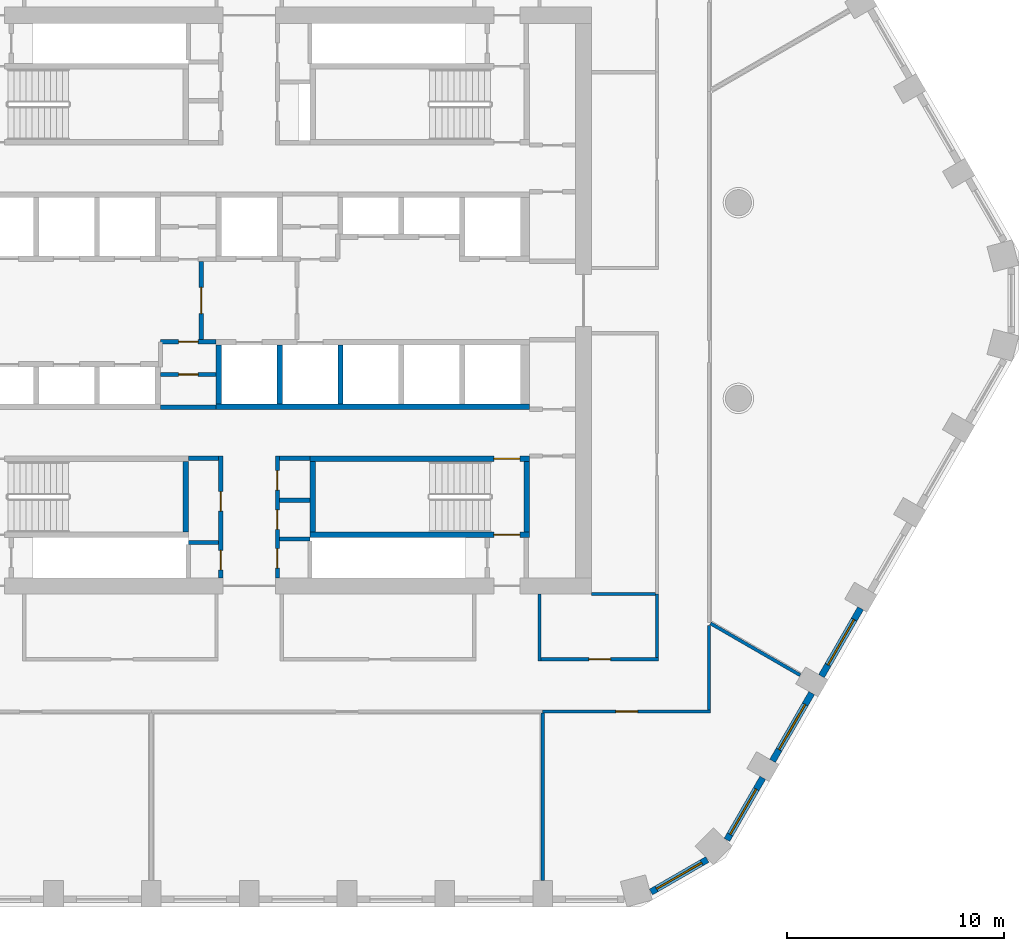
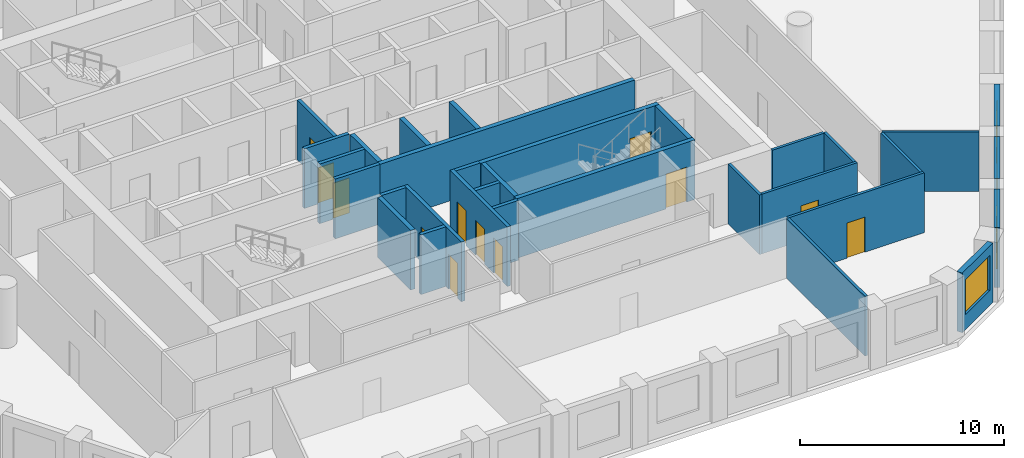
# One storey, part 4 of 14: 32 walls, 12 doors, 4 windows, 16 openings.
"""IFC4 building model written with IfcOpenShell, lengths in metres."""

from ifc_helpers import new_model, si_unit, direction, frame, frame_2d, origin, place, context, subcontext, project, spatial, polyline, rectangle, outline, extrude, material, layer, layer_set, type_object, element, fill, save


model = new_model("IFC4")

# Units and contexts
model_context = context("Model", 3, precision=1e-05, world=origin(), true_north=direction((0.0, 1.0)))
body_context = subcontext(model_context, "Body", "Model", "MODEL_VIEW")
ifc_project = project(units=[si_unit("LENGTHUNIT", "METRE"), si_unit("AREAUNIT", "SQUARE_METRE"), si_unit("VOLUMEUNIT", "CUBIC_METRE"), si_unit("PLANEANGLEUNIT", "RADIAN"), si_unit("MASSUNIT", "GRAM", prefix="KILO")], contexts=[model_context])

# Site, building, storey
site_placement = place(None, origin())
site = spatial("IfcSite", under=ifc_project, at=site_placement, CompositionType="ELEMENT")
building_placement = place(site_placement, origin())
building = spatial("IfcBuilding", under=site, at=building_placement, Name="Dhurran Vertical Campus", CompositionType="ELEMENT")
storey_placement = place(building_placement, frame((0.0, 0.0, 136.5)))
storey = spatial("IfcBuildingStorey", under=building, at=storey_placement, Name="L33", CompositionType="ELEMENT", Elevation=136.5)

# Wall, opening, window
ifc_material_1 = material(Name="Precast concrete C50/60", Category="concrete")
ifc_layer_1 = layer(ifc_material_1, 0.300048828125)
ifc_layer_set_1 = layer_set([ifc_layer_1], Name="Precast concrete C50/60")
wall_type_1 = type_object("IfcWallType", Name="Precast spandrel wall 300", PredefinedType="SOLIDWALL", material=ifc_layer_set_1)
wall_1_placement = place(storey_placement, frame((18.479248046875, -27.201904296875, 0.0), z_axis=(0.0, 0.0, 1.0), x_axis=(0.866012844897, 0.500021752, 0.0)))
wall_1 = element("IfcWall", 1, at=wall_1_placement, inside=storey, type_object=wall_type_1, Name="EW1 L33.08", PredefinedType="SOLIDWALL", context=body_context, shape_type="SweptSolid", body=[
    extrude(rectangle(XDim=2.989013671875, YDim=0.300048828125, at=frame_2d((1.49462890625, 0.0))), origin(), (0.0, 0.0, 1.0), 3.574951171875),
])
opening_1_placement = place(wall_1_placement, frame((0.294677734375, 0.0, 0.89990234375)))
opening_1 = element("IfcOpeningElement", 2, at=opening_1_placement, cuts=wall_1, Name="Opening WT1", PredefinedType="OPENING", context=body_context, shape_type="SweptSolid", body=[
    extrude(rectangle(XDim=2.39990234375, YDim=2.10009765625, at=frame_2d((1.199951171875, 1.050048828125))), frame((0.0, 0.159912109375, 0.0), z_axis=(0.0, -1.0, 0.0), x_axis=(1.0, 0.0, 0.0)), (0.0, 0.0, 1.0), 0.320068359375),
])
ifc_material_2 = material(Name="Aluminium frame with solar-control glass", Category="aluminium")
window_type = type_object("IfcWindowType", Name="Punched window 2400 x 2100", PartitioningType="SINGLE_PANEL", PredefinedType="WINDOW", material=ifc_material_2)
window_1_placement = place(opening_1_placement, origin())
window_1 = element("IfcWindow", 3, at=window_1_placement, inside=storey, type_object=window_type, Name="WT1 L33.08", OverallHeight=2.10009765625, OverallWidth=2.39990234375, PartitioningType="SINGLE_PANEL", PredefinedType="WINDOW", context=body_context, shape_type="SweptSolid", body=[
    extrude(rectangle(XDim=2.39990234375, YDim=2.10009765625, at=frame_2d((1.199951171875, 1.050048828125))), frame((0.0, 0.030029296875, 0.0), z_axis=(0.0, -1.0, 0.0), x_axis=(1.0, 0.0, 0.0)), (0.0, 0.0, 1.0), 0.06005859375),
])
fill(opening_1, window_1)

wall_2_placement = place(storey_placement, frame((21.9716796875, -24.803466796875, 0.0), z_axis=(0.0, 0.0, 1.0), x_axis=(0.500036802197, 0.866004154983, 0.0)))
wall_2 = element("IfcWall", 4, at=wall_2_placement, inside=storey, type_object=wall_type_1, Name="EW1 L33.09", PredefinedType="SOLIDWALL", context=body_context, shape_type="SweptSolid", body=[
    extrude(rectangle(XDim=3.294189453125, YDim=0.300048828125, at=frame_2d((1.64697265625, 0.0))), origin(), (0.0, 0.0, 1.0), 3.574951171875),
])
opening_2_placement = place(wall_2_placement, frame((0.29443359375, 0.0, 0.89990234375)))
opening_2 = element("IfcOpeningElement", 5, at=opening_2_placement, cuts=wall_2, Name="Opening WT1", PredefinedType="OPENING", context=body_context, shape_type="SweptSolid", body=[
    extrude(rectangle(XDim=2.39990234375, YDim=2.10009765625, at=frame_2d((1.199951171875, 1.050048828125))), frame((0.0, 0.159912109375, 0.0), z_axis=(0.0, -1.0, 0.0), x_axis=(1.0, 0.0, 0.0)), (0.0, 0.0, 1.0), 0.320068359375),
])
window_2_placement = place(opening_2_placement, origin())
window_2 = element("IfcWindow", 6, at=window_2_placement, inside=storey, type_object=window_type, Name="WT1 L33.09", OverallHeight=2.10009765625, OverallWidth=2.39990234375, PartitioningType="SINGLE_PANEL", PredefinedType="WINDOW", context=body_context, shape_type="SweptSolid", body=[
    extrude(rectangle(XDim=2.39990234375, YDim=2.10009765625, at=frame_2d((1.199951171875, 1.050048828125))), frame((0.0, 0.030029296875, 0.0), z_axis=(0.0, -1.0, 0.0), x_axis=(1.0, 0.0, 0.0)), (0.0, 0.0, 1.0), 0.06005859375),
])
fill(opening_2, window_2)

wall_3_placement = place(storey_placement, frame((24.0693359375, -21.17041015625, 0.0), z_axis=(0.0, 0.0, 1.0), x_axis=(0.500027802648, 0.866009351323, 0.0)))
wall_3 = element("IfcWall", 7, at=wall_3_placement, inside=storey, type_object=wall_type_1, Name="EW1 L33.10", PredefinedType="SOLIDWALL", context=body_context, shape_type="SweptSolid", body=[
    extrude(rectangle(XDim=3.598876953125, YDim=0.300048828125, at=frame_2d((1.79931640625, 0.0))), origin(), (0.0, 0.0, 1.0), 3.574951171875),
])
opening_3_placement = place(wall_3_placement, frame((0.599609375, 0.0, 0.89990234375)))
opening_3 = element("IfcOpeningElement", 8, at=opening_3_placement, cuts=wall_3, Name="Opening WT1", PredefinedType="OPENING", context=body_context, shape_type="SweptSolid", body=[
    extrude(rectangle(XDim=2.39990234375, YDim=2.10009765625, at=frame_2d((1.199951171875, 1.050048828125))), frame((0.0, 0.159912109375, 0.0), z_axis=(0.0, -1.0, 0.0), x_axis=(1.0, 0.0, 0.0)), (0.0, 0.0, 1.0), 0.320068359375),
])
window_3_placement = place(opening_3_placement, origin())
window_3 = element("IfcWindow", 9, at=window_3_placement, inside=storey, type_object=window_type, Name="WT1 L33.10", OverallHeight=2.10009765625, OverallWidth=2.39990234375, PartitioningType="SINGLE_PANEL", PredefinedType="WINDOW", context=body_context, shape_type="SweptSolid", body=[
    extrude(rectangle(XDim=2.39990234375, YDim=2.10009765625, at=frame_2d((1.199951171875, 1.050048828125))), frame((0.0, 0.030029296875, 0.0), z_axis=(0.0, -1.0, 0.0), x_axis=(1.0, 0.0, 0.0)), (0.0, 0.0, 1.0), 0.06005859375),
])
fill(opening_3, window_3)

wall_4_placement = place(storey_placement, frame((26.3193359375, -17.273193359375, 0.0), z_axis=(0.0, 0.0, 1.0), x_axis=(0.500027802648, 0.866009351323, 0.0)))
wall_4 = element("IfcWall", 10, at=wall_4_placement, inside=storey, type_object=wall_type_1, Name="EW1 L33.11", PredefinedType="SOLIDWALL", context=body_context, shape_type="SweptSolid", body=[
    extrude(rectangle(XDim=3.598876953125, YDim=0.300048828125, at=frame_2d((1.79931640625, 0.0))), origin(), (0.0, 0.0, 1.0), 3.574951171875),
])
opening_4_placement = place(wall_4_placement, frame((0.599609375, 0.0, 0.89990234375)))
opening_4 = element("IfcOpeningElement", 11, at=opening_4_placement, cuts=wall_4, Name="Opening WT1", PredefinedType="OPENING", context=body_context, shape_type="SweptSolid", body=[
    extrude(rectangle(XDim=2.39990234375, YDim=2.10009765625, at=frame_2d((1.199951171875, 1.050048828125))), frame((0.0, 0.159912109375, 0.0), z_axis=(0.0, -1.0, 0.0), x_axis=(1.0, 0.0, 0.0)), (0.0, 0.0, 1.0), 0.320068359375),
])
window_4_placement = place(opening_4_placement, origin())
window_4 = element("IfcWindow", 12, at=window_4_placement, inside=storey, type_object=window_type, Name="WT1 L33.11", OverallHeight=2.10009765625, OverallWidth=2.39990234375, PartitioningType="SINGLE_PANEL", PredefinedType="WINDOW", context=body_context, shape_type="SweptSolid", body=[
    extrude(rectangle(XDim=2.39990234375, YDim=2.10009765625, at=frame_2d((1.199951171875, 1.050048828125))), frame((0.0, 0.030029296875, 0.0), z_axis=(0.0, -1.0, 0.0), x_axis=(1.0, 0.0, 0.0)), (0.0, 0.0, 1.0), 0.06005859375),
])
fill(opening_4, window_4)

# Wall, opening, door
ifc_material_3 = material(Name="Fire-rated masonry blockwork", Category="masonry")
ifc_layer_2 = layer(ifc_material_3, 0.199951171875)
ifc_layer_set_2 = layer_set([ifc_layer_2], Name="Fire-rated masonry blockwork")
wall_type_2 = type_object("IfcWallType", Name="co-FIRE-PARTITION-200", PredefinedType="PARTITIONING", material=ifc_layer_set_2)
wall_5_placement = place(storey_placement, frame((-2.199951171875, -1.800048828125, 0.0), z_axis=(0.0, 0.0, 1.0), x_axis=(0.0, 1.0, 0.0)))
wall_5 = element("IfcWall", 13, at=wall_5_placement, inside=storey, type_object=wall_type_2, Name="Firefighting lobby wall W L33", PredefinedType="PARTITIONING", context=body_context, shape_type="SweptSolid", body=[
    extrude(rectangle(XDim=3.60009765625, YDim=0.199951171875, at=frame_2d((1.800048828125, 0.0))), origin(), (0.0, 0.0, 1.0), 3.574951171875),
])
opening_5_placement = place(wall_5_placement, frame((1.199951171875, 0.0, 0.0)))
opening_5 = element("IfcOpeningElement", 14, at=opening_5_placement, cuts=wall_5, Name="Opening FL1", PredefinedType="OPENING", context=body_context, shape_type="SweptSolid", body=[
    extrude(rectangle(XDim=1.199951171875, YDim=2.10009765625, at=frame_2d((0.60009765625, 1.050048828125))), frame((0.0, 0.10986328125, 0.0), z_axis=(0.0, -1.0, 0.0), x_axis=(1.0, 0.0, 0.0)), (0.0, 0.0, 1.0), 0.219970703125),
])
ifc_material_4 = material(Name="Fire-rated steel door set", Category="steel")
door_type_1 = type_object("IfcDoorType", Name="co-D-FFLOBBY 1200x2100", OperationType="SINGLE_SWING_LEFT", PredefinedType="DOOR", material=ifc_material_4)
door_1_placement = place(opening_5_placement, origin())
door_1 = element("IfcDoor", 15, at=door_1_placement, inside=storey, type_object=door_type_1, Name="Firefighting lobby door W L33", OperationType="SINGLE_SWING_LEFT", OverallHeight=2.10009765625, OverallWidth=1.199951171875, PredefinedType="DOOR", context=body_context, shape_type="SweptSolid", body=[
    extrude(rectangle(XDim=1.199951171875, YDim=2.10009765625, at=frame_2d((0.60009765625, 1.050048828125))), frame((0.0, 0.02490234375, 0.0), z_axis=(0.0, -1.0, 0.0), x_axis=(1.0, 0.0, 0.0)), (0.0, 0.0, 1.0), 0.050048828125),
])
fill(opening_5, door_1)

# Walls
for number, where, z_axis, x_axis, name in (
    (16, (-2.800048828125, -7.25, 0.0), (0.0, 0.0, 1.0), (1.0, 0.0, 0.0), "Core partition sl-SW-S L33"),
    (17, (-2.800048828125, -11.1298828125, 0.0), (0.0, 0.0, 1.0), (1.0, 0.0, 0.0), "Core partition sl-SW-cut0 L33"),
    (18, (1.39990234375, -7.25, 0.0), (0.0, 0.0, 1.0), (1.0, 0.0, 0.0), "Core partition sl-SE-S L33"),
    (19, (1.39990234375, -9.18603515625, 0.0), (0.0, 0.0, 1.0), (1.0, 0.0, 0.0), "Core partition sl-SE-cut0 L33"),
    (20, (1.39990234375, -10.968017578125, 0.0), (0.0, 0.0, 1.0), (1.0, 0.0, 0.0), "Core partition sl-SE-cut1 L33"),
):
    element("IfcWall", number, at=place(storey_placement, frame(where, z_axis=z_axis, x_axis=x_axis)), inside=storey, type_object=wall_type_2, Name=name, PredefinedType="PARTITIONING", context=body_context, shape_type="SweptSolid", body=[
        extrude(rectangle(XDim=1.400146484375, YDim=0.199951171875, at=frame_2d((0.7001953125, 0.0))), origin(), (0.0, 0.0, 1.0), 3.574951171875),
    ])

# Wall, openings, doors
wall_6_placement = place(storey_placement, frame((-1.300048828125, -12.75, 0.0), z_axis=(0.0, 0.0, 1.0), x_axis=(0.0, 1.0, 0.0)))
wall_6 = element("IfcWall", 21, at=wall_6_placement, inside=storey, type_object=wall_type_2, Name="Core partition vest-SW L33", PredefinedType="PARTITIONING", context=body_context, shape_type="SweptSolid", body=[
    extrude(rectangle(XDim=5.60009765625, YDim=0.199951171875, at=frame_2d((2.800048828125, 0.0))), origin(), (0.0, 0.0, 1.0), 3.574951171875),
])
opening_6_placement = place(wall_6_placement, frame((0.360107421875, 0.0, 0.0)))
opening_6 = element("IfcOpeningElement", 22, at=opening_6_placement, cuts=wall_6, Name="Opening T09-C1", PredefinedType="OPENING", context=body_context, shape_type="SweptSolid", body=[
    extrude(rectangle(XDim=0.89990234375, YDim=2.10009765625, at=frame_2d((0.449951171875, 1.050048828125))), frame((0.0, 0.10986328125, 0.0), z_axis=(0.0, -1.0, 0.0), x_axis=(1.0, 0.0, 0.0)), (0.0, 0.0, 1.0), 0.219970703125),
])
opening_7_placement = place(wall_6_placement, frame((3.06005859375, 0.0, 0.0)))
opening_7 = element("IfcOpeningElement", 23, at=opening_7_placement, cuts=wall_6, Name="Opening T09-C2", PredefinedType="OPENING", context=body_context, shape_type="SweptSolid", body=[
    extrude(rectangle(XDim=0.89990234375, YDim=2.10009765625, at=frame_2d((0.449951171875, 1.050048828125))), frame((0.0, 0.10986328125, 0.0), z_axis=(0.0, -1.0, 0.0), x_axis=(1.0, 0.0, 0.0)), (0.0, 0.0, 1.0), 0.219970703125),
])
ifc_material_5 = material(Name="Fire-rated timber door set", Category="wood")
door_type_2 = type_object("IfcDoorType", Name="co-D-ROOM 900x2100", OperationType="SINGLE_SWING_LEFT", PredefinedType="DOOR", material=ifc_material_5)
door_2_placement = place(opening_6_placement, origin())
door_2 = element("IfcDoor", 24, at=door_2_placement, inside=storey, type_object=door_type_2, Name="Pantry door L33", OperationType="SINGLE_SWING_LEFT", OverallHeight=2.10009765625, OverallWidth=0.89990234375, PredefinedType="DOOR", context=body_context, shape_type="SweptSolid", body=[
    extrude(rectangle(XDim=0.89990234375, YDim=2.10009765625, at=frame_2d((0.449951171875, 1.050048828125))), frame((0.0, 0.02490234375, 0.0), z_axis=(0.0, -1.0, 0.0), x_axis=(1.0, 0.0, 0.0)), (0.0, 0.0, 1.0), 0.050048828125),
])
fill(opening_6, door_2)
door_3_placement = place(opening_7_placement, origin())
door_3 = element("IfcDoor", 25, at=door_3_placement, inside=storey, type_object=door_type_2, Name="Communications room door L33", OperationType="SINGLE_SWING_LEFT", OverallHeight=2.10009765625, OverallWidth=0.89990234375, PredefinedType="DOOR", context=body_context, shape_type="SweptSolid", body=[
    extrude(rectangle(XDim=0.89990234375, YDim=2.10009765625, at=frame_2d((0.449951171875, 1.050048828125))), frame((0.0, 0.02490234375, 0.0), z_axis=(0.0, -1.0, 0.0), x_axis=(1.0, 0.0, 0.0)), (0.0, 0.0, 1.0), 0.050048828125),
])
fill(opening_7, door_3)

wall_7_placement = place(storey_placement, frame((1.300048828125, -12.75, 0.0), z_axis=(0.0, 0.0, 1.0), x_axis=(0.0, 1.0, 0.0)))
wall_7 = element("IfcWall", 26, at=wall_7_placement, inside=storey, type_object=wall_type_2, Name="Core partition vest-SE L33", PredefinedType="PARTITIONING", context=body_context, shape_type="SweptSolid", body=[
    extrude(rectangle(XDim=5.60009765625, YDim=0.199951171875, at=frame_2d((2.800048828125, 0.0))), origin(), (0.0, 0.0, 1.0), 3.574951171875),
])
opening_8_placement = place(wall_7_placement, frame((0.44091796875, 0.0, 0.0)))
opening_8 = element("IfcOpeningElement", 27, at=opening_8_placement, cuts=wall_7, Name="Opening T09-C3", PredefinedType="OPENING", context=body_context, shape_type="SweptSolid", body=[
    extrude(rectangle(XDim=0.89990234375, YDim=2.10009765625, at=frame_2d((0.449951171875, 1.050048828125))), frame((0.0, 0.10986328125, 0.0), z_axis=(0.0, -1.0, 0.0), x_axis=(1.0, 0.0, 0.0)), (0.0, 0.0, 1.0), 0.219970703125),
])
opening_9_placement = place(wall_7_placement, frame((2.222900390625, 0.0, 0.0)))
opening_9 = element("IfcOpeningElement", 28, at=opening_9_placement, cuts=wall_7, Name="Opening T09-C4", PredefinedType="OPENING", context=body_context, shape_type="SweptSolid", body=[
    extrude(rectangle(XDim=0.89990234375, YDim=2.10009765625, at=frame_2d((0.449951171875, 1.050048828125))), frame((0.0, 0.10986328125, 0.0), z_axis=(0.0, -1.0, 0.0), x_axis=(1.0, 0.0, 0.0)), (0.0, 0.0, 1.0), 0.219970703125),
])
opening_10_placement = place(wall_7_placement, frame((4.031982421875, 0.0, 0.0)))
opening_10 = element("IfcOpeningElement", 29, at=opening_10_placement, cuts=wall_7, Name="Opening T09-C5", PredefinedType="OPENING", context=body_context, shape_type="SweptSolid", body=[
    extrude(rectangle(XDim=0.89990234375, YDim=2.10009765625, at=frame_2d((0.449951171875, 1.050048828125))), frame((0.0, 0.10986328125, 0.0), z_axis=(0.0, -1.0, 0.0), x_axis=(1.0, 0.0, 0.0)), (0.0, 0.0, 1.0), 0.219970703125),
])
door_4_placement = place(opening_8_placement, origin())
door_4 = element("IfcDoor", 30, at=door_4_placement, inside=storey, type_object=door_type_2, Name="Waste room door L33", OperationType="SINGLE_SWING_LEFT", OverallHeight=2.10009765625, OverallWidth=0.89990234375, PredefinedType="DOOR", context=body_context, shape_type="SweptSolid", body=[
    extrude(rectangle(XDim=0.89990234375, YDim=2.10009765625, at=frame_2d((0.449951171875, 1.050048828125))), frame((0.0, 0.02490234375, 0.0), z_axis=(0.0, -1.0, 0.0), x_axis=(1.0, 0.0, 0.0)), (0.0, 0.0, 1.0), 0.050048828125),
])
fill(opening_8, door_4)
door_5_placement = place(opening_9_placement, origin())
door_5 = element("IfcDoor", 31, at=door_5_placement, inside=storey, type_object=door_type_2, Name="Fire equipment store door L33", OperationType="SINGLE_SWING_LEFT", OverallHeight=2.10009765625, OverallWidth=0.89990234375, PredefinedType="DOOR", context=body_context, shape_type="SweptSolid", body=[
    extrude(rectangle(XDim=0.89990234375, YDim=2.10009765625, at=frame_2d((0.449951171875, 1.050048828125))), frame((0.0, 0.02490234375, 0.0), z_axis=(0.0, -1.0, 0.0), x_axis=(1.0, 0.0, 0.0)), (0.0, 0.0, 1.0), 0.050048828125),
])
fill(opening_9, door_5)
door_6_placement = place(opening_10_placement, origin())
door_6 = element("IfcDoor", 32, at=door_6_placement, inside=storey, type_object=door_type_2, Name="Server room door L33", OperationType="SINGLE_SWING_LEFT", OverallHeight=2.10009765625, OverallWidth=0.89990234375, PredefinedType="DOOR", context=body_context, shape_type="SweptSolid", body=[
    extrude(rectangle(XDim=0.89990234375, YDim=2.10009765625, at=frame_2d((0.449951171875, 1.050048828125))), frame((0.0, 0.02490234375, 0.0), z_axis=(0.0, -1.0, 0.0), x_axis=(1.0, 0.0, 0.0)), (0.0, 0.0, 1.0), 0.050048828125),
])
fill(opening_10, door_6)

# Wall, opening, door
wall_8_placement = place(storey_placement, frame((-4.074951171875, -3.39990234375, 0.0), z_axis=(0.0, 0.0, 1.0), x_axis=(1.0, 0.0, 0.0)))
wall_8 = element("IfcWall", 33, at=wall_8_placement, inside=storey, type_object=wall_type_2, Name="Core partition fr-S0-c L33", PredefinedType="PARTITIONING", context=body_context, shape_type="SweptSolid", body=[
    extrude(rectangle(XDim=2.550048828125, YDim=0.199951171875, at=frame_2d((1.27490234375, 0.0))), origin(), (0.0, 0.0, 1.0), 3.574951171875),
])
opening_11_placement = place(wall_8_placement, frame((0.824951171875, 0.0, 0.0)))
opening_11 = element("IfcOpeningElement", 34, at=opening_11_placement, cuts=wall_8, Name="Opening T09-C27", PredefinedType="OPENING", context=body_context, shape_type="SweptSolid", body=[
    extrude(rectangle(XDim=0.89990234375, YDim=2.10009765625, at=frame_2d((0.449951171875, 1.050048828125))), frame((0.0, 0.10986328125, 0.0), z_axis=(0.0, -1.0, 0.0), x_axis=(1.0, 0.0, 0.0)), (0.0, 0.0, 1.0), 0.219970703125),
])
door_7_placement = place(opening_11_placement, origin())
door_7 = element("IfcDoor", 35, at=door_7_placement, inside=storey, type_object=door_type_2, Name="Server room door L33", OperationType="SINGLE_SWING_LEFT", OverallHeight=2.10009765625, OverallWidth=0.89990234375, PredefinedType="DOOR", context=body_context, shape_type="SweptSolid", body=[
    extrude(rectangle(XDim=0.89990234375, YDim=2.10009765625, at=frame_2d((0.449951171875, 1.050048828125))), frame((0.0, 0.02490234375, 0.0), z_axis=(0.0, -1.0, 0.0), x_axis=(1.0, 0.0, 0.0)), (0.0, 0.0, 1.0), 0.050048828125),
])
fill(opening_11, door_7)

wall_9_placement = place(storey_placement, frame((-4.074951171875, -1.89990234375, 0.0), z_axis=(0.0, 0.0, 1.0), x_axis=(1.0, 0.0, 0.0)))
wall_9 = element("IfcWall", 36, at=wall_9_placement, inside=storey, type_object=wall_type_2, Name="Core partition fr-S0-f L33", PredefinedType="PARTITIONING", context=body_context, shape_type="SweptSolid", body=[
    extrude(rectangle(XDim=2.550048828125, YDim=0.199951171875, at=frame_2d((1.27490234375, 0.0))), origin(), (0.0, 0.0, 1.0), 3.574951171875),
])
opening_12_placement = place(wall_9_placement, frame((0.824951171875, 0.0, 0.0)))
opening_12 = element("IfcOpeningElement", 37, at=opening_12_placement, cuts=wall_9, Name="Opening T09-C28", PredefinedType="OPENING", context=body_context, shape_type="SweptSolid", body=[
    extrude(rectangle(XDim=0.89990234375, YDim=2.10009765625, at=frame_2d((0.449951171875, 1.050048828125))), frame((0.0, 0.10986328125, 0.0), z_axis=(0.0, -1.0, 0.0), x_axis=(1.0, 0.0, 0.0)), (0.0, 0.0, 1.0), 0.219970703125),
])
door_8_placement = place(opening_12_placement, origin())
door_8 = element("IfcDoor", 38, at=door_8_placement, inside=storey, type_object=door_type_2, Name="Server room door L33", OperationType="SINGLE_SWING_LEFT", OverallHeight=2.10009765625, OverallWidth=0.89990234375, PredefinedType="DOOR", context=body_context, shape_type="SweptSolid", body=[
    extrude(rectangle(XDim=0.89990234375, YDim=2.10009765625, at=frame_2d((0.449951171875, 1.050048828125))), frame((0.0, 0.02490234375, 0.0), z_axis=(0.0, -1.0, 0.0), x_axis=(1.0, 0.0, 0.0)), (0.0, 0.0, 1.0), 0.050048828125),
])
fill(opening_12, door_8)

# Walls
wall_10_placement = place(storey_placement, frame((-4.074951171875, -4.89990234375, 0.0), z_axis=(0.0, 0.0, 1.0), x_axis=(1.0, 0.0, 0.0)))
element("IfcWall", 39, at=wall_10_placement, inside=storey, type_object=wall_type_2, Name="Core partition fr-S0-b L33", PredefinedType="PARTITIONING", context=body_context, shape_type="SweptSolid", body=[
    extrude(rectangle(XDim=2.550048828125, YDim=0.199951171875, at=frame_2d((1.27490234375, 0.0))), origin(), (0.0, 0.0, 1.0), 3.574951171875),
])
ifc_material_6 = material(Name="Concrete C50/60", Category="concrete")
ifc_layer_3 = layer(ifc_material_6, 0.25)
ifc_layer_set_3 = layer_set([ifc_layer_3], Name="Concrete C50/60")
wall_type_3 = type_object("IfcWallType", Name="co-SHAFT-MASS-250", PredefinedType="SHEAR", material=ifc_layer_set_3)
wall_11_placement = place(storey_placement, origin())
element("IfcWall", 40, at=wall_11_placement, inside=storey, type_object=wall_type_3, Name="Lift shaft wall S L33 2", PredefinedType="SHEAR", context=body_context, shape_type="SweptSolid", body=[
    extrude(outline(polyline([(-1.52490234375, -5.0), (12.89990234375, -5.0), (12.89990234375, -4.75), (-1.52490234375, -4.75), (-1.52490234375, -5.0)])), origin(), (0.0, 0.0, 1.0), 3.574951171875),
])
wall_12_placement = place(storey_placement, origin())
element("IfcWall", 41, at=wall_12_placement, inside=storey, type_object=wall_type_3, Name="Lift shaft wall S L33 7", PredefinedType="SHEAR", context=body_context, shape_type="SweptSolid", body=[
    extrude(outline(polyline([(-1.52490234375, -4.75), (-1.27490234375, -4.75), (-1.27490234375, -2.050048828125), (-1.52490234375, -2.050048828125), (-1.52490234375, -4.75)])), origin(), (0.0, 0.0, 1.0), 3.574951171875),
])
wall_13_placement = place(storey_placement, origin())
element("IfcWall", 42, at=wall_13_placement, inside=storey, type_object=wall_type_3, Name="Lift shaft wall S L33 8", PredefinedType="SHEAR", context=body_context, shape_type="SweptSolid", body=[
    extrude(outline(polyline([(1.27490234375, -4.75), (1.52490234375, -4.75), (1.52490234375, -2.050048828125), (1.27490234375, -2.050048828125), (1.27490234375, -4.75)])), origin(), (0.0, 0.0, 1.0), 3.574951171875),
])
wall_14_placement = place(storey_placement, origin())
element("IfcWall", 43, at=wall_14_placement, inside=storey, type_object=wall_type_3, Name="Lift shaft wall S L33 9", PredefinedType="SHEAR", context=body_context, shape_type="SweptSolid", body=[
    extrude(outline(polyline([(4.074951171875, -4.75), (4.324951171875, -4.75), (4.324951171875, -2.050048828125), (4.074951171875, -2.050048828125), (4.074951171875, -4.75)])), origin(), (0.0, 0.0, 1.0), 3.574951171875),
])
ifc_material_7 = material(Name="Concrete C40/50", Category="concrete")
ifc_layer_4 = layer(ifc_material_7, 0.25)
ifc_layer_set_4 = layer_set([ifc_layer_4], Name="Concrete C40/50")
wall_type_4 = type_object("IfcWallType", Name="co-STAIR-WALL-250", PredefinedType="SHEAR", material=ifc_layer_set_4)
wall_15_placement = place(storey_placement, frame((-2.925048828125, -10.64990234375, 0.0), z_axis=(0.0, 0.0, 1.0), x_axis=(0.0, 1.0, 0.0)))
element("IfcWall", 44, at=wall_15_placement, inside=storey, type_object=wall_type_4, Name="Stair ST3 enclosure wall L33", PredefinedType="SHEAR", context=body_context, shape_type="SweptSolid", body=[
    extrude(rectangle(XDim=3.25, YDim=0.25, at=frame_2d((1.625, 0.0))), origin(), (0.0, 0.0, 1.0), 3.574951171875),
])

# Wall, opening, door
wall_16_placement = place(storey_placement, frame((2.800048828125, -10.77490234375, 0.0), z_axis=(0.0, 0.0, 1.0), x_axis=(1.0, 0.0, 0.0)))
wall_16 = element("IfcWall", 45, at=wall_16_placement, inside=storey, type_object=wall_type_4, Name="Stair ST4 enclosure wall L33", PredefinedType="SHEAR", context=body_context, shape_type="SweptSolid", body=[
    extrude(rectangle(XDim=10.099853515625, YDim=0.25, at=frame_2d((5.0498046875, 0.0))), origin(), (0.0, 0.0, 1.0), 3.574951171875),
])
opening_13_placement = place(wall_16_placement, frame((8.449951171875, 0.0, 0.0)))
opening_13 = element("IfcOpeningElement", 46, at=opening_13_placement, cuts=wall_16, Name="Opening XS4", PredefinedType="OPENING", context=body_context, shape_type="SweptSolid", body=[
    extrude(rectangle(XDim=1.199951171875, YDim=2.10009765625, at=frame_2d((0.60009765625, 1.050048828125))), frame((0.0, 0.135009765625, 0.0), z_axis=(0.0, -1.0, 0.0), x_axis=(1.0, 0.0, 0.0)), (0.0, 0.0, 1.0), 0.27001953125),
])
ifc_material_8 = material(Name="Fire-rated steel door set", Category="steel")
door_type_3 = type_object("IfcDoorType", Name="co-D-STAIR-EXIT 1200x2100", OperationType="SINGLE_SWING_RIGHT", PredefinedType="DOOR", material=ifc_material_8)
door_9_placement = place(opening_13_placement, origin())
door_9 = element("IfcDoor", 47, at=door_9_placement, inside=storey, type_object=door_type_3, Name="Stair ST4 discharge door L33", OperationType="SINGLE_SWING_RIGHT", OverallHeight=2.10009765625, OverallWidth=1.199951171875, PredefinedType="DOOR", context=body_context, shape_type="SweptSolid", body=[
    extrude(rectangle(XDim=1.199951171875, YDim=2.10009765625, at=frame_2d((0.60009765625, 1.050048828125))), frame((0.0, 0.02490234375, 0.0), z_axis=(0.0, -1.0, 0.0), x_axis=(1.0, 0.0, 0.0)), (0.0, 0.0, 1.0), 0.050048828125),
])
fill(opening_13, door_9)

wall_17_placement = place(storey_placement, frame((2.800048828125, -7.27490234375, 0.0), z_axis=(0.0, 0.0, 1.0), x_axis=(1.0, 0.0, 0.0)))
wall_17 = element("IfcWall", 48, at=wall_17_placement, inside=storey, type_object=wall_type_4, Name="Stair ST4 enclosure wall L33", PredefinedType="SHEAR", context=body_context, shape_type="SweptSolid", body=[
    extrude(rectangle(XDim=10.099853515625, YDim=0.25, at=frame_2d((5.0498046875, 0.0))), origin(), (0.0, 0.0, 1.0), 3.574951171875),
])
opening_14_placement = place(wall_17_placement, frame((8.449951171875, 0.0, 0.0)))
opening_14 = element("IfcOpeningElement", 49, at=opening_14_placement, cuts=wall_17, Name="Opening SD4", PredefinedType="OPENING", context=body_context, shape_type="SweptSolid", body=[
    extrude(rectangle(XDim=1.199951171875, YDim=2.10009765625, at=frame_2d((0.60009765625, 1.050048828125))), frame((0.0, 0.135009765625, 0.0), z_axis=(0.0, -1.0, 0.0), x_axis=(1.0, 0.0, 0.0)), (0.0, 0.0, 1.0), 0.27001953125),
])
ifc_material_9 = material(Name="Fire-rated steel door set", Category="steel")
door_type_4 = type_object("IfcDoorType", Name="co-D-STAIR 1200x2100", OperationType="SINGLE_SWING_LEFT", PredefinedType="DOOR", material=ifc_material_9)
door_10_placement = place(opening_14_placement, origin())
door_10 = element("IfcDoor", 50, at=door_10_placement, inside=storey, type_object=door_type_4, Name="Stair ST4 door L33", OperationType="SINGLE_SWING_LEFT", OverallHeight=2.10009765625, OverallWidth=1.199951171875, PredefinedType="DOOR", context=body_context, shape_type="SweptSolid", body=[
    extrude(rectangle(XDim=1.199951171875, YDim=2.10009765625, at=frame_2d((0.60009765625, 1.050048828125))), frame((0.0, 0.02490234375, 0.0), z_axis=(0.0, -1.0, 0.0), x_axis=(1.0, 0.0, 0.0)), (0.0, 0.0, 1.0), 0.050048828125),
])
fill(opening_14, door_10)

# Walls
for number, where, z_axis, x_axis, name in (
    (51, (2.925048828125, -10.64990234375, 0.0), (0.0, 0.0, 1.0), (0.0, 1.0, 0.0), "Stair ST4 enclosure wall L33"),
    (52, (12.77490234375, -10.64990234375, 0.0), (0.0, 0.0, 1.0), (0.0, 1.0, 0.0), "Stair ST4 enclosure wall L33"),
):
    element("IfcWall", number, at=place(storey_placement, frame(where, z_axis=z_axis, x_axis=x_axis)), inside=storey, type_object=wall_type_4, Name=name, PredefinedType="SHEAR", context=body_context, shape_type="SweptSolid", body=[
        extrude(rectangle(XDim=3.25, YDim=0.25, at=frame_2d((1.625, 0.0))), origin(), (0.0, 0.0, 1.0), 3.574951171875),
    ])
ifc_material_10 = material(Name="Gypsum board corridor wall on steel studs", Category="steel")
ifc_layer_5 = layer(ifc_material_10, 0.14990234375)
ifc_layer_set_5 = layer_set([ifc_layer_5], Name="Gypsum board corridor wall on steel studs")
wall_type_5 = type_object("IfcWallType", Name="fl-CW-150 corridor wall", PredefinedType="PARTITIONING", material=ifc_layer_set_5)
wall_18_placement = place(storey_placement, frame((13.35009765625, -16.574951171875, 0.0), z_axis=(0.0, 0.0, 1.0), x_axis=(0.0, 1.0, 0.0)))
element("IfcWall", 53, at=wall_18_placement, inside=storey, type_object=wall_type_5, Name="Partition 33-42", PredefinedType="PARTITIONING", context=body_context, shape_type="SweptSolid", body=[
    extrude(rectangle(XDim=3.074951171875, YDim=0.14990234375, at=frame_2d((1.53759765625, 0.0))), origin(), (0.0, 0.0, 1.0), 3.574951171875),
])

# Wall, opening, door
wall_19_placement = place(storey_placement, frame((18.824951171875, -16.5, 0.0), z_axis=(0.0, 0.0, 1.0), x_axis=(-1.0, 0.0, 0.0)))
wall_19 = element("IfcWall", 54, at=wall_19_placement, inside=storey, type_object=wall_type_5, Name="Partition 33-43", PredefinedType="PARTITIONING", context=body_context, shape_type="SweptSolid", body=[
    extrude(rectangle(XDim=5.39990234375, YDim=0.14990234375, at=frame_2d((2.699951171875, 0.0))), origin(), (0.0, 0.0, 1.0), 3.574951171875),
])
opening_15_placement = place(wall_19_placement, frame((2.199951171875, 0.0, 0.0)))
opening_15 = element("IfcOpeningElement", 55, at=opening_15_placement, cuts=wall_19, Name="Opening T09.17", PredefinedType="OPENING", context=body_context, shape_type="SweptSolid", body=[
    extrude(rectangle(XDim=1.0, YDim=2.10009765625, at=frame_2d((0.5, 1.050048828125))), frame((0.0, 0.0849609375, 0.0), z_axis=(0.0, -1.0, 0.0), x_axis=(1.0, 0.0, 0.0)), (0.0, 0.0, 1.0), 0.169921875),
])
ifc_material_11 = material(Name="Solid-core timber door set, fire-rated", Category="wood")
door_type_5 = type_object("IfcDoorType", Name="fl-D-1000x2100", OperationType="SINGLE_SWING_LEFT", PredefinedType="DOOR", material=ifc_material_11)
door_11_placement = place(opening_15_placement, origin())
door_11 = element("IfcDoor", 56, at=door_11_placement, inside=storey, type_object=door_type_5, Name="Door 33.17", OperationType="SINGLE_SWING_RIGHT", OverallHeight=2.10009765625, OverallWidth=1.0, PredefinedType="DOOR", context=body_context, shape_type="SweptSolid", body=[
    extrude(rectangle(XDim=1.0, YDim=2.10009765625, at=frame_2d((0.5, 1.050048828125))), frame((0.0, 0.02490234375, 0.0), z_axis=(0.0, -1.0, 0.0), x_axis=(1.0, 0.0, 0.0)), (0.0, 0.0, 1.0), 0.050048828125),
])
fill(opening_15, door_11)

wall_20_placement = place(storey_placement, frame((13.5, -18.89990234375, 0.0), z_axis=(0.0, 0.0, 1.0), x_axis=(1.0, 0.0, 0.0)))
wall_20 = element("IfcWall", 57, at=wall_20_placement, inside=storey, type_object=wall_type_5, Name="Partition 33-47", PredefinedType="PARTITIONING", context=body_context, shape_type="SweptSolid", body=[
    extrude(rectangle(XDim=7.72509765625, YDim=0.14990234375, at=frame_2d((3.862548828125, 0.0))), origin(), (0.0, 0.0, 1.0), 3.574951171875),
])
opening_16_placement = place(wall_20_placement, frame((3.362548828125, 0.0, 0.0)))
opening_16 = element("IfcOpeningElement", 58, at=opening_16_placement, cuts=wall_20, Name="Opening T09.21", PredefinedType="OPENING", context=body_context, shape_type="SweptSolid", body=[
    extrude(rectangle(XDim=1.0, YDim=2.10009765625, at=frame_2d((0.5, 1.050048828125))), frame((0.0, 0.0849609375, 0.0), z_axis=(0.0, -1.0, 0.0), x_axis=(1.0, 0.0, 0.0)), (0.0, 0.0, 1.0), 0.169921875),
])
door_12_placement = place(opening_16_placement, origin())
door_12 = element("IfcDoor", 59, at=door_12_placement, inside=storey, type_object=door_type_5, Name="Door 33.21", OperationType="SINGLE_SWING_LEFT", OverallHeight=2.10009765625, OverallWidth=1.0, PredefinedType="DOOR", context=body_context, shape_type="SweptSolid", body=[
    extrude(rectangle(XDim=1.0, YDim=2.10009765625, at=frame_2d((0.5, 1.050048828125))), frame((0.0, 0.02490234375, 0.0), z_axis=(0.0, -1.0, 0.0), x_axis=(1.0, 0.0, 0.0)), (0.0, 0.0, 1.0), 0.050048828125),
])
fill(opening_16, door_12)

# Walls
wall_21_placement = place(storey_placement, frame((18.75, -13.5, 0.0), z_axis=(0.0, 0.0, 1.0), x_axis=(0.0, -1.0, 0.0)))
element("IfcWall", 60, at=wall_21_placement, inside=storey, type_object=wall_type_5, Name="Partition 33-54", PredefinedType="PARTITIONING", context=body_context, shape_type="SweptSolid", body=[
    extrude(rectangle(XDim=2.925048828125, YDim=0.14990234375, at=frame_2d((1.46240234375, 0.0))), origin(), (0.0, 0.0, 1.0), 3.574951171875),
])
wall_22_placement = place(storey_placement, frame((21.14990234375, -18.824951171875, 0.0), z_axis=(0.0, 0.0, 1.0), x_axis=(0.0, 1.0, 0.0)))
element("IfcWall", 61, at=wall_22_placement, inside=storey, type_object=wall_type_5, Name="Partition 33-58", PredefinedType="PARTITIONING", context=body_context, shape_type="SweptSolid", body=[
    extrude(rectangle(XDim=3.885986328125, YDim=0.14990234375, at=frame_2d((1.94287109375, 0.0))), origin(), (0.0, 0.0, 1.0), 3.574951171875),
])
ifc_material_12 = material(Name="Gypsum board partition on steel studs", Category="steel")
ifc_layer_6 = layer(ifc_material_12, 0.14990234375)
ifc_layer_set_6 = layer_set([ifc_layer_6], Name="Gypsum board partition on steel studs")
wall_type_6 = type_object("IfcWallType", Name="fl-PW-150 fixed partition", PredefinedType="PARTITIONING", material=ifc_layer_set_6)
wall_23_placement = place(storey_placement, frame((13.5, -18.97509765625, 0.0), z_axis=(0.0, 0.0, 1.0), x_axis=(0.0, -1.0, 0.0)))
element("IfcWall", 62, at=wall_23_placement, inside=storey, type_object=wall_type_6, Name="Partition 33-46", PredefinedType="PARTITIONING", context=body_context, shape_type="SweptSolid", body=[
    extrude(rectangle(XDim=7.6875, YDim=0.14990234375, at=frame_2d((3.84375, 0.0))), origin(), (0.0, 0.0, 1.0), 3.574951171875),
])
wall_24_placement = place(storey_placement, frame((15.75, -13.5, 0.0), z_axis=(0.0, 0.0, 1.0), x_axis=(1.0, 0.0, 0.0)))
element("IfcWall", 63, at=wall_24_placement, inside=storey, type_object=wall_type_6, Name="Partition 33-50", PredefinedType="PARTITIONING", context=body_context, shape_type="SweptSolid", body=[
    extrude(rectangle(XDim=2.925048828125, YDim=0.14990234375, at=frame_2d((1.46240234375, 0.0))), origin(), (0.0, 0.0, 1.0), 3.574951171875),
])
wall_25_placement = place(storey_placement, frame((21.215087890625, -14.846435546875, 0.0), z_axis=(0.0, 0.0, 1.0), x_axis=(0.866039654489, -0.499975316243, 0.0)))
element("IfcWall", 64, at=wall_25_placement, inside=storey, type_object=wall_type_6, Name="Partition 33-60", PredefinedType="PARTITIONING", context=body_context, shape_type="SweptSolid", body=[
    extrude(rectangle(XDim=4.763916015625, YDim=0.14990234375, at=frame_2d((2.3818359375, 0.0))), origin(), (0.0, 0.0, 1.0), 3.574951171875),
])

save(model, "model.ifc")
